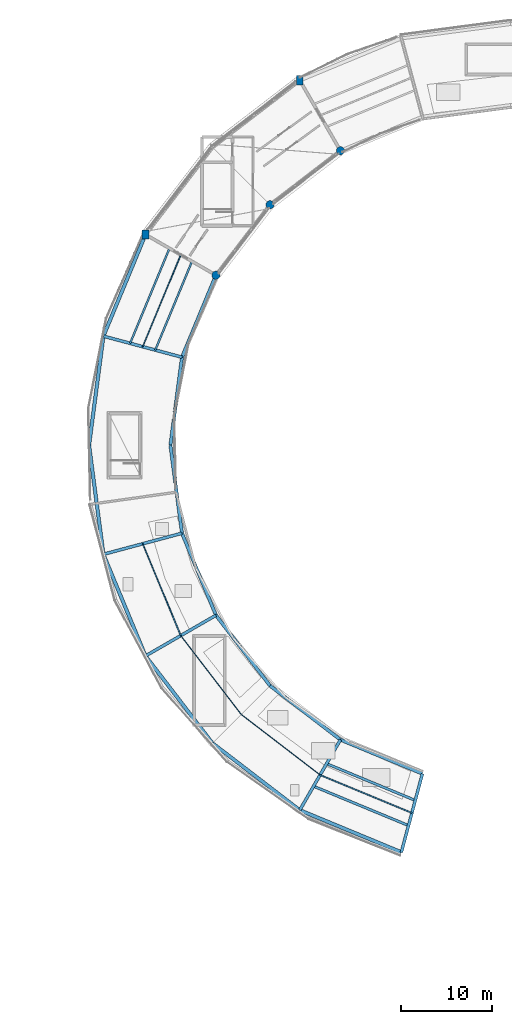
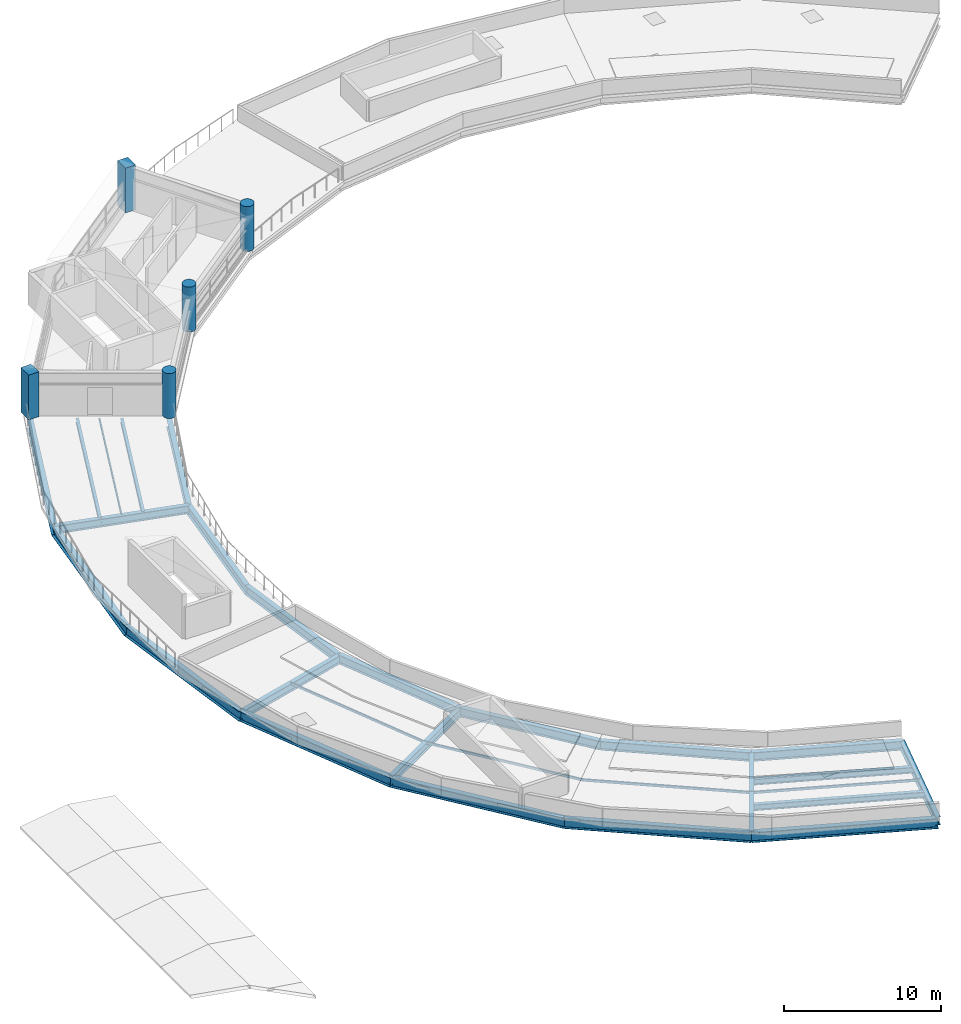
# One storey, part 1 of 12: 23 beams, 5 columns, 5 members.
"""IFC4 building model written with IfcOpenShell, lengths in metres."""

from ifc_helpers import new_model, si_unit, direction, frame, origin, origin_2d, place, context, subcontext, project, spatial, rectangle, hollow_rectangle, circle, i_section, extrude, material, material_profile, profile_set, type_object, element, save


model = new_model("IFC4")

# Units and contexts
model_context = context("Model", 3, precision=1e-05, world=origin(), true_north=direction((0.0, 1.0)))
body_context = subcontext(model_context, "Body", "Model", "MODEL_VIEW")
ifc_project = project(units=[si_unit("LENGTHUNIT", "METRE"), si_unit("AREAUNIT", "SQUARE_METRE"), si_unit("VOLUMEUNIT", "CUBIC_METRE"), si_unit("PLANEANGLEUNIT", "RADIAN"), si_unit("MASSUNIT", "GRAM", prefix="KILO")], contexts=[model_context])

# Site, building, storey
site_placement = place(None, origin())
site = spatial("IfcSite", under=ifc_project, at=site_placement, CompositionType="ELEMENT")
building_placement = place(site_placement, origin())
building = spatial("IfcBuilding", under=site, at=building_placement, Name="Vespera Passage Community Centre", CompositionType="ELEMENT")
storey_placement = place(building_placement, frame((0.0, 0.0, 24.300048828125)))
storey = spatial("IfcBuildingStorey", under=building, at=storey_placement, Name="ROOF", CompositionType="ELEMENT", Elevation=24.300048828125)

# Columns
ifc_material_1 = material(Name="Concrete f'c 45 MPa", Category="concrete")
ifc_material_profile_1 = material_profile(ifc_material_1, rectangle(XDim=0.75, YDim=1.0, at=origin_2d()), Name="RC1000X750")
ifc_profile_set_1 = profile_set([ifc_material_profile_1], Name="Concrete f'c 45 MPa")
column_type_1 = type_object("IfcColumnType", Name="COL-RC1000X750E", PredefinedType="COLUMN", material=ifc_profile_set_1)
for number, where, z_axis, x_axis, name in (
    (1, (54.949951171875, 105.423828125, 0.0), (0.0, 0.0, 1.0), (1.0, 0.0, 0.0), "ROOF Column V4-O08"),
    (2, (38.076171875, 88.550048828125, 0.0), (0.0, 0.0, 1.0), (1.0, 0.0, 0.0), "ROOF Column V4-O10"),
):
    element("IfcColumn", number, at=place(storey_placement, frame(where, z_axis=z_axis, x_axis=x_axis)), inside=storey, type_object=column_type_1, Name=name, PredefinedType="COLUMN", context=body_context, shape_type="SweptSolid", body=[
        extrude(rectangle(XDim=0.75, YDim=1.0, at=origin_2d()), origin(), (0.0, 0.0, 1.0), 3.5),
    ])
ifc_material_2 = material(Name="Concrete f'c 45 MPa", Category="concrete")
ifc_material_profile_2 = material_profile(ifc_material_2, circle(Radius=0.449951171875, at=origin_2d()), Name="RC900DIA")
ifc_profile_set_2 = profile_set([ifc_material_profile_2], Name="Concrete f'c 45 MPa")
column_type_2 = type_object("IfcColumnType", Name="COL-RC900DIAE", PredefinedType="COLUMN", material=ifc_profile_set_2)
for number, where, z_axis, x_axis, name in (
    (3, (59.39990234375, 97.716064453125, 0.0), (0.0, 0.0, 1.0), (1.0, 0.0, 0.0), "ROOF Column V4-I08"),
    (4, (51.695556640625, 91.804443359375, 0.0), (0.0, 0.0, 1.0), (1.0, 0.0, 0.0), "ROOF Column V4-I09"),
    (5, (45.783935546875, 84.10009765625, 0.0), (0.0, 0.0, 1.0), (1.0, 0.0, 0.0), "ROOF Column V4-I10"),
):
    element("IfcColumn", number, at=place(storey_placement, frame(where, z_axis=z_axis, x_axis=x_axis)), inside=storey, type_object=column_type_2, Name=name, PredefinedType="COLUMN", context=body_context, shape_type="SweptSolid", body=[
        extrude(circle(Radius=0.449951171875, at=origin_2d()), origin(), (0.0, 0.0, 1.0), 3.5),
    ])

# Beams
ifc_material_3 = material(Name="Steel ASTM A992 Grade 50", Category="steel")
ifc_material_profile_3 = material_profile(ifc_material_3, i_section(OverallWidth=0.32763671875, OverallDepth=0.62841796875, WebThickness=0.0166015625, FlangeThickness=0.027587890625, FilletRadius=0.0126953125, at=origin_2d()), Name="W24X146")
ifc_profile_set_3 = profile_set([ifc_material_profile_3], Name="Steel ASTM A992 Grade 50")
beam_type_1 = type_object("IfcBeamType", Name="BM-G-W24X146", PredefinedType="BEAM", material=ifc_profile_set_3)
for number, where, z_axis, x_axis, name in (
    (6, (42.067626953125, 75.128173828125, -0.57421875), (-0.9659278487, 0.258811497245, 0.0), (-0.258811497245, -0.9659278487, 0.0), "V4 ROOF Radial Girder 11"),
    (7, (42.067626953125, 55.871826171875, -0.57421875), (-0.9659278487, -0.258811497245, 0.0), (0.258811497245, -0.9659278487, 0.0), "V4 ROOF Radial Girder 13"),
    (8, (45.783935546875, 46.89990234375, -0.5341796875), (-0.866031643847, -0.499989191739, 0.0), (0.499989191739, -0.866031643847, 0.0), "V4 ROOF Radial Girder 14"),
    (9, (59.39990234375, 33.283935546875, -0.5341796875), (-0.499989191739, -0.866031643847, 0.0), (0.866031643847, -0.499989191739, 0.0), "V4 ROOF Radial Girder 16"),
    (10, (68.371826171875, 29.567626953125, -0.5341796875), (-0.258811497245, -0.9659278487, 0.0), (0.9659278487, -0.258811497245, 0.0), "V4 ROOF Radial Girder 17"),
):
    element("IfcBeam", number, at=place(storey_placement, frame(where, z_axis=z_axis, x_axis=x_axis)), inside=storey, type_object=beam_type_1, Name=name, PredefinedType="BEAM", context=body_context, shape_type="SweptSolid", body=[
        extrude(i_section(OverallWidth=0.32763671875, OverallDepth=0.62841796875, WebThickness=0.0166015625, FlangeThickness=0.027587890625, FilletRadius=0.0126953125, at=origin_2d()), origin(), (0.0, 0.0, 1.0), 8.900146484375),
    ])
ifc_material_4 = material(Name="Steel ASTM A992 Grade 50", Category="steel")
ifc_material_profile_4 = material_profile(ifc_material_4, i_section(OverallWidth=0.2041015625, OverallDepth=0.3505859375, WebThickness=0.008544921875, FlangeThickness=0.01513671875, FilletRadius=0.01513671875, at=origin_2d()), Name="W14X48")
ifc_profile_set_4 = profile_set([ifc_material_profile_4], Name="Steel ASTM A992 Grade 50")
beam_type_2 = type_object("IfcBeamType", Name="BM-J-W14X48", PredefinedType="JOIST", material=ifc_profile_set_4)
beam_1_placement = place(storey_placement, frame((43.163330078125, 85.613037109375, -0.435302734375), z_axis=(-0.382683064417, -0.92387968492, 0.0), x_axis=(0.92387968492, -0.382683064417, 0.0)))
element("IfcBeam", 11, at=beam_1_placement, inside=storey, type_object=beam_type_2, Name="V4 ROOF Floor Joist 10.1", PredefinedType="JOIST", context=body_context, shape_type="SweptSolid", body=[
    extrude(i_section(OverallWidth=0.2041015625, OverallDepth=0.3505859375, WebThickness=0.008544921875, FlangeThickness=0.01513671875, FilletRadius=0.01513671875, at=origin_2d()), origin(), (0.0, 0.0, 1.0), 10.5009765625),
])
beam_2_placement = place(storey_placement, frame((40.69677734375, 87.037109375, -0.435302734375), z_axis=(-0.38267202562, -0.923884257257, 0.0), x_axis=(0.923884257257, -0.38267202562, 0.0)))
element("IfcBeam", 12, at=beam_2_placement, inside=storey, type_object=beam_type_2, Name="V4 ROOF Floor Joist 10.2", PredefinedType="JOIST", context=body_context, shape_type="SweptSolid", body=[
    extrude(i_section(OverallWidth=0.2041015625, OverallDepth=0.3505859375, WebThickness=0.008544921875, FlangeThickness=0.01513671875, FilletRadius=0.01513671875, at=origin_2d()), origin(), (0.0, 0.0, 1.0), 11.24462890625),
])
ifc_material_5 = material(Name="Steel ASTM A992 Grade 50", Category="steel")
ifc_material_profile_5 = material_profile(ifc_material_5, i_section(OverallWidth=0.280517578125, OverallDepth=0.46240234375, WebThickness=0.0107421875, FlangeThickness=0.017333984375, FilletRadius=0.01025390625, at=origin_2d()), Name="W18X76")
ifc_profile_set_5 = profile_set([ifc_material_profile_5], Name="Steel ASTM A992 Grade 50")
beam_type_3 = type_object("IfcBeamType", Name="BM-J-W18X76", PredefinedType="JOIST", material=ifc_profile_set_5)
beam_3_placement = place(storey_placement, frame((57.886962890625, 30.663330078125, -0.451171875), z_axis=(0.92387968492, -0.382683064417, 0.0), x_axis=(0.382683064417, 0.92387968492, 0.0)))
element("IfcBeam", 13, at=beam_3_placement, inside=storey, type_object=beam_type_3, Name="V4 ROOF Floor Joist 16.1", PredefinedType="JOIST", context=body_context, shape_type="SweptSolid", body=[
    extrude(i_section(OverallWidth=0.280517578125, OverallDepth=0.46240234375, WebThickness=0.0107421875, FlangeThickness=0.017333984375, FilletRadius=0.01025390625, at=origin_2d()), origin(), (0.0, 0.0, 1.0), 10.5009765625),
])
beam_4_placement = place(storey_placement, frame((56.462890625, 28.19677734375, -0.451171875), z_axis=(0.923884257257, -0.38267202562, 0.0), x_axis=(0.38267202562, 0.923884257257, 0.0)))
element("IfcBeam", 14, at=beam_4_placement, inside=storey, type_object=beam_type_3, Name="V4 ROOF Floor Joist 16.2", PredefinedType="JOIST", context=body_context, shape_type="SweptSolid", body=[
    extrude(i_section(OverallWidth=0.280517578125, OverallDepth=0.46240234375, WebThickness=0.0107421875, FlangeThickness=0.017333984375, FilletRadius=0.01025390625, at=origin_2d()), origin(), (0.0, 0.0, 1.0), 11.24462890625),
])
ifc_material_6 = material(Name="Steel ASTM A992 Grade 50", Category="steel")
ifc_material_profile_6 = material_profile(ifc_material_6, i_section(OverallWidth=0.3544921875, OverallDepth=0.695556640625, WebThickness=0.015380859375, FlangeThickness=0.024658203125, FilletRadius=0.01513671875, at=origin_2d()), Name="W27X146")
ifc_profile_set_6 = profile_set([ifc_material_profile_6], Name="Steel ASTM A992 Grade 50")
beam_type_4 = type_object("IfcBeamType", Name="BM-SP-W27X146E", PredefinedType="SPANDREL", material=ifc_profile_set_6)
for number, where, z_axis, x_axis, name in (
    (15, (45.783935546875, 84.10009765625, -0.60791015625), (-0.382684844258, -0.923878947685, 0.0), (0.923878947685, -0.382684844258, 0.0), "V4 ROOF Inner Spandrel 10"),
    (16, (42.067626953125, 75.128173828125, -0.60791015625), (-0.130526697639, -0.991444794834, 0.0), (0.991444794834, -0.130526697639, 0.0), "V4 ROOF Inner Spandrel 11"),
    (17, (40.800048828125, 65.5, -0.60791015625), (0.130526697639, -0.991444794834, 0.0), (0.991444794834, 0.130526697639, 0.0), "V4 ROOF Inner Spandrel 12"),
    (18, (42.067626953125, 55.871826171875, -0.567626953125), (0.382684844258, -0.923878947685, 0.0), (0.923878947685, 0.382684844258, 0.0), "V4 ROOF Inner Spandrel 13"),
):
    element("IfcBeam", number, at=place(storey_placement, frame(where, z_axis=z_axis, x_axis=x_axis)), inside=storey, type_object=beam_type_4, Name=name, PredefinedType="SPANDREL", context=body_context, shape_type="SweptSolid", body=[
        extrude(i_section(OverallWidth=0.3544921875, OverallDepth=0.695556640625, WebThickness=0.015380859375, FlangeThickness=0.024658203125, FilletRadius=0.01513671875, at=origin_2d()), origin(), (0.0, 0.0, 1.0), 9.711181640625),
    ])
for number, where, z_axis, x_axis, name in (
    (19, (45.783935546875, 46.89990234375, -0.567626953125), (0.60875291963, -0.793359869694, 0.0), (0.793359869694, 0.60875291963, 0.0), "V4 ROOF Inner Spandrel 14"),
    (20, (51.695556640625, 39.195556640625, -0.567626953125), (0.793359869694, -0.60875291963, 0.0), (0.60875291963, 0.793359869694, 0.0), "V4 ROOF Inner Spandrel 15"),
):
    element("IfcBeam", number, at=place(storey_placement, frame(where, z_axis=z_axis, x_axis=x_axis)), inside=storey, type_object=beam_type_4, Name=name, PredefinedType="SPANDREL", context=body_context, shape_type="SweptSolid", body=[
        extrude(i_section(OverallWidth=0.3544921875, OverallDepth=0.695556640625, WebThickness=0.015380859375, FlangeThickness=0.024658203125, FilletRadius=0.01513671875, at=origin_2d()), origin(), (0.0, 0.0, 1.0), 9.7109375),
    ])
beam_5_placement = place(storey_placement, frame((59.39990234375, 33.283935546875, -0.567626953125), z_axis=(0.923878947685, -0.382684844258, 0.0), x_axis=(0.382684844258, 0.923878947685, 0.0)))
element("IfcBeam", 21, at=beam_5_placement, inside=storey, type_object=beam_type_4, Name="V4 ROOF Inner Spandrel 16", PredefinedType="SPANDREL", context=body_context, shape_type="SweptSolid", body=[
    extrude(i_section(OverallWidth=0.3544921875, OverallDepth=0.695556640625, WebThickness=0.015380859375, FlangeThickness=0.024658203125, FilletRadius=0.01513671875, at=origin_2d()), origin(), (0.0, 0.0, 1.0), 9.711181640625),
])
ifc_material_7 = material(Name="Steel ASTM A992 Grade 50", Category="steel")
ifc_material_profile_7 = material_profile(ifc_material_7, i_section(OverallWidth=0.382080078125, OverallDepth=0.779296875, WebThickness=0.01806640625, FlangeThickness=0.030029296875, FilletRadius=0.0166015625, at=origin_2d()), Name="W30X191")
ifc_profile_set_7 = profile_set([ifc_material_profile_7], Name="Steel ASTM A992 Grade 50")
beam_type_5 = type_object("IfcBeamType", Name="BM-SP-W30X191E", PredefinedType="SPANDREL", material=ifc_profile_set_7)
beam_6_placement = place(storey_placement, frame((38.076171875, 88.550048828125, -0.649658203125), z_axis=(-0.382688629799, -0.923877379647, 0.0), x_axis=(0.923877379647, -0.382688629799, 0.0)))
element("IfcBeam", 22, at=beam_6_placement, inside=storey, type_object=beam_type_5, Name="V4 ROOF Outer Spandrel 10", PredefinedType="SPANDREL", context=body_context, shape_type="SweptSolid", body=[
    extrude(i_section(OverallWidth=0.382080078125, OverallDepth=0.779296875, WebThickness=0.01806640625, FlangeThickness=0.030029296875, FilletRadius=0.0166015625, at=origin_2d()), origin(), (0.0, 0.0, 1.0), 12.034423828125),
])
for number, where, z_axis, x_axis, name in (
    (23, (33.470703125, 77.431640625, -0.649658203125), (-0.130523782115, -0.991445178667, 0.0), (0.991445178667, -0.130523782115, 0.0), "V4 ROOF Outer Spandrel 11"),
    (24, (31.89990234375, 65.5, -0.649658203125), (0.130523782115, -0.991445178667, 0.0), (0.991445178667, 0.130523782115, 0.0), "V4 ROOF Outer Spandrel 12"),
):
    element("IfcBeam", number, at=place(storey_placement, frame(where, z_axis=z_axis, x_axis=x_axis)), inside=storey, type_object=beam_type_5, Name=name, PredefinedType="SPANDREL", context=body_context, shape_type="SweptSolid", body=[
        extrude(i_section(OverallWidth=0.382080078125, OverallDepth=0.779296875, WebThickness=0.01806640625, FlangeThickness=0.030029296875, FilletRadius=0.0166015625, at=origin_2d()), origin(), (0.0, 0.0, 1.0), 12.03466796875),
    ])
for number, where, z_axis, x_axis, name in (
    (25, (33.470703125, 53.568359375, -0.609619140625), (0.382688629799, -0.923877379647, 0.0), (0.923877379647, 0.382688629799, 0.0), "V4 ROOF Outer Spandrel 13"),
    (26, (38.076171875, 42.449951171875, -0.609619140625), (0.608763261066, -0.793351934501, 0.0), (0.793351934501, 0.608763261066, 0.0), "V4 ROOF Outer Spandrel 14"),
    (27, (45.40234375, 32.90234375, -0.609619140625), (0.793351934501, -0.608763261066, 0.0), (0.608763261066, 0.793351934501, 0.0), "V4 ROOF Outer Spandrel 15"),
    (28, (54.949951171875, 25.576171875, -0.609619140625), (0.923877379647, -0.382688629799, 0.0), (0.382688629799, 0.923877379647, 0.0), "V4 ROOF Outer Spandrel 16"),
):
    element("IfcBeam", number, at=place(storey_placement, frame(where, z_axis=z_axis, x_axis=x_axis)), inside=storey, type_object=beam_type_5, Name=name, PredefinedType="SPANDREL", context=body_context, shape_type="SweptSolid", body=[
        extrude(i_section(OverallWidth=0.382080078125, OverallDepth=0.779296875, WebThickness=0.01806640625, FlangeThickness=0.030029296875, FilletRadius=0.0166015625, at=origin_2d()), origin(), (0.0, 0.0, 1.0), 12.034423828125),
    ])

# Members
ifc_material_8 = material(Name="Steel ASTM A500 Grade C", Category="steel")
ifc_material_profile_8 = material_profile(ifc_material_8, hollow_rectangle(XDim=0.1015625, YDim=0.203125, WallThickness=0.0087890625, InnerFilletRadius=0.0087890625, OuterFilletRadius=0.017822265625, at=origin_2d()), Name="HSS203X102X9.5")
ifc_profile_set_8 = profile_set([ifc_material_profile_8], Name="Steel ASTM A500 Grade C")
member_type = type_object("IfcMemberType", Name="MB-PR-HSS203X102", PredefinedType="PURLIN", material=ifc_profile_set_8)
for number, where, z_axis, x_axis, name in (
    (29, (41.93017578125, 86.324951171875, -0.361572265625), (-0.382686939258, -0.923878079901, 0.0), (0.923878079901, -0.382686939258, 0.0), "V4 Roof Purlin 10"),
    (30, (37.769287109375, 54.72021484375, -0.321533203125), (0.382686939258, -0.923878079901, 0.0), (0.923878079901, 0.382686939258, 0.0), "V4 Roof Purlin 13"),
    (31, (41.93017578125, 44.675048828125, -0.321533203125), (0.608758642845, -0.793355478182, 0.0), (0.793355478182, 0.608758642845, 0.0), "V4 Roof Purlin 14"),
    (32, (48.549072265625, 36.049072265625, -0.321533203125), (0.793355478182, -0.608758642845, 0.0), (0.608758642845, 0.793355478182, 0.0), "V4 Roof Purlin 15"),
    (33, (57.175048828125, 29.43017578125, -0.321533203125), (0.923878079901, -0.382686939258, 0.0), (0.382686939258, 0.923878079901, 0.0), "V4 Roof Purlin 16"),
):
    element("IfcMember", number, at=place(storey_placement, frame(where, z_axis=z_axis, x_axis=x_axis)), inside=storey, type_object=member_type, Name=name, PredefinedType="PURLIN", context=body_context, shape_type="SweptSolid", body=[
        extrude(hollow_rectangle(XDim=0.1015625, YDim=0.203125, WallThickness=0.0087890625, InnerFilletRadius=0.0087890625, OuterFilletRadius=0.017822265625, at=origin_2d()), origin(), (0.0, 0.0, 1.0), 10.872802734375),
    ])

save(model, "model.ifc")
